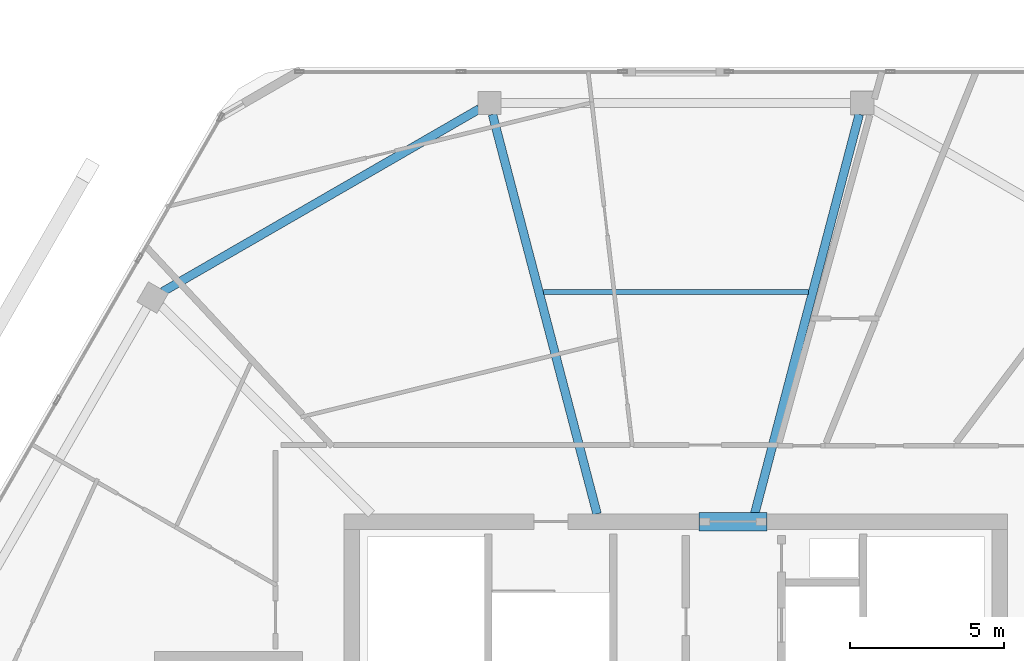
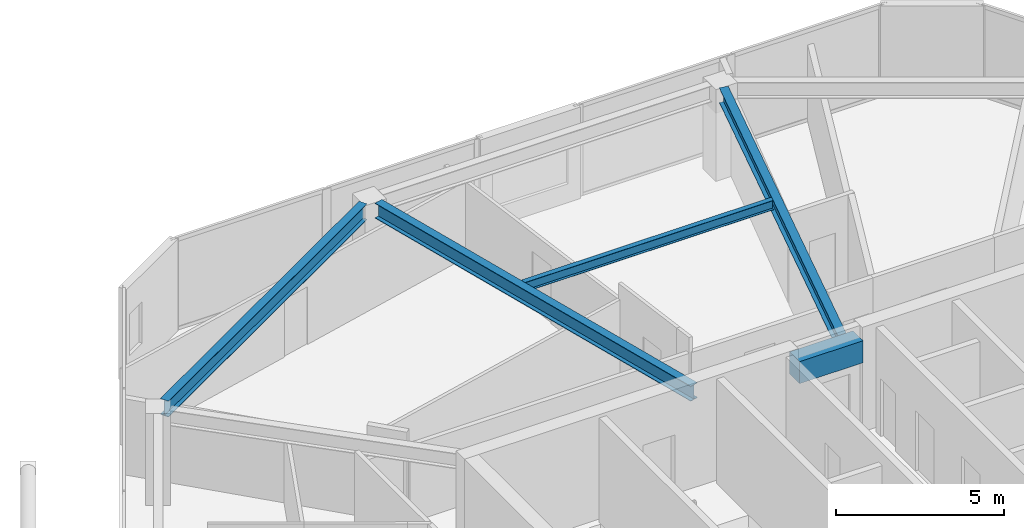
# One storey, part 10 of 22: 5 beams.
"""IFC4 building model written with IfcOpenShell, lengths in metres."""

import ifcopenshell
import ifcopenshell.guid

model = None  # the IFC model being written
_history = None  # IfcOwnerHistory: only IFC2X3 demands one
_inside = {}  # id of a spatial element -> (the spatial element, [elements in it])
_under = {}  # id of a project, library or spatial element -> (it, [spatial elements below it])
_declared = {}  # id of a project -> (the project, [libraries it declares])
_typed = {}  # id of a type object -> (the type object, [elements of that type])
_made_of = {}  # id of a material, layer set ... -> (it, [elements and type objects made of it])


def new_model(schema):
    """Start an empty IFC model of exactly this schema.

    Asked for "IFC4X3", IfcOpenShell would pick the latest addendum, in which some entities
    have other attributes; the version numbers below select the first issue.
    IFC2X3 requires an IfcOwnerHistory on every rooted entity: one is made here for all.
    """
    global model, _history
    if schema == "IFC4X3":
        model = ifcopenshell.file(schema_version=(4, 3, 0, 0))
    else:
        model = ifcopenshell.file(schema=schema)
    _inside.clear()
    _under.clear()
    _declared.clear()
    _typed.clear()
    _made_of.clear()
    _history = None
    if model.schema == "IFC2X3":
        org = make("IfcOrganization", Name="unknown")
        user = make(
            "IfcPersonAndOrganization",
            ThePerson=make("IfcPerson", FamilyName="unknown"),
            TheOrganization=org,
        )
        app = make(
            "IfcApplication",
            ApplicationDeveloper=org,
            Version="unknown",
            ApplicationFullName="unknown",
            ApplicationIdentifier="unknown",
        )
        _history = make(
            "IfcOwnerHistory",
            OwningUser=user,
            OwningApplication=app,
            ChangeAction="ADDED",
            CreationDate=0,
        )
    return model


def make(cls, **values):
    """One entity of the class cls with the attributes given. An attribute that is None is left unset."""
    return model.create_entity(
        cls, **{name: value for name, value in values.items() if value is not None}
    )


def rooted(cls, **values):
    """An entity with a GlobalId (a new one), such as an element, a storey or a relation."""
    return make(cls, GlobalId=ifcopenshell.guid.new(), OwnerHistory=_history, **values)


def si_unit(unit_type, name, prefix=None):
    """IfcSIUnit, for example si_unit("LENGTHUNIT", "METRE", prefix="MILLI")."""
    return make("IfcSIUnit", UnitType=unit_type, Prefix=prefix, Name=name)


def assignment(units):
    """IfcUnitAssignment: the units of a project."""
    return None if units is None else make("IfcUnitAssignment", Units=units)


def point(xyz):
    """IfcCartesianPoint."""
    return None if xyz is None else make("IfcCartesianPoint", Coordinates=xyz)


def direction(xyz):
    """IfcDirection."""
    return None if xyz is None else make("IfcDirection", DirectionRatios=xyz)


def frame(location, z_axis=None, x_axis=None):
    """IfcAxis2Placement3D, a coordinate frame: its origin and axes. An axis left out is left unset."""
    return make(
        "IfcAxis2Placement3D",
        Location=point(location),
        Axis=direction(z_axis),
        RefDirection=direction(x_axis),
    )


def frame_2d(location, x_axis=None):
    """IfcAxis2Placement2D, a coordinate frame in the plane: its origin and x axis."""
    return make(
        "IfcAxis2Placement2D", Location=point(location), RefDirection=direction(x_axis)
    )


def origin():
    """The frame at (0, 0, 0) with its axes left unset."""
    return frame((0.0, 0.0, 0.0))


def origin_2d():
    """The frame at (0, 0) in the plane with its x axis left unset."""
    return frame_2d((0.0, 0.0))


def place(relative_to, where):
    """IfcLocalPlacement: puts the frame where relative to a parent placement (None: the world)."""
    return make(
        "IfcLocalPlacement", PlacementRelTo=relative_to, RelativePlacement=where
    )


def context(
    kind, dimensions, precision=None, world=None, true_north=None, identifier=None
):
    """IfcGeometricRepresentationContext, for example the 3D "Model" context."""
    return make(
        "IfcGeometricRepresentationContext",
        ContextIdentifier=identifier,
        ContextType=kind,
        CoordinateSpaceDimension=dimensions,
        Precision=precision,
        WorldCoordinateSystem=world,
        TrueNorth=true_north,
    )


def subcontext(parent, identifier, kind, view, scale=None):
    """IfcGeometricRepresentationSubContext, for example "Body" below "Model"."""
    return make(
        "IfcGeometricRepresentationSubContext",
        ContextIdentifier=identifier,
        ContextType=kind,
        ParentContext=parent,
        TargetScale=scale,
        TargetView=view,
    )


def project(units=None, contexts=None):
    """IfcProject with its units and contexts."""
    return rooted(
        "IfcProject",
        Name="project",
        RepresentationContexts=contexts,
        UnitsInContext=assignment(units),
    )


def spatial(cls, under=None, at=None, **own):
    """A site, building, storey or space (cls), placed at a placement, below another one or the project."""
    s = rooted(cls, ObjectPlacement=at, **own)
    if under is not None:
        _under.setdefault(under.id(), (under, []))[1].append(s)
    return s


def profile(cls, at=None, kind="AREA", **sizes):
    """A parametric profile (cls). Its sizes go by their IFC names, for example OverallWidth=200.0."""
    return make(cls, ProfileType=kind, Position=at, **sizes)


def rectangle(**sizes):
    """IfcRectangleProfileDef."""
    return profile("IfcRectangleProfileDef", **sizes)


def i_section(**sizes):
    """IfcIShapeProfileDef."""
    return profile("IfcIShapeProfileDef", **sizes)


def extrude(swept, where, along, depth):
    """IfcExtrudedAreaSolid: the profile swept, set in the frame where, extruded along a direction by depth."""
    return make(
        "IfcExtrudedAreaSolid",
        SweptArea=swept,
        Position=where,
        ExtrudedDirection=direction(along),
        Depth=depth,
    )


def shape(context_of_items, identifier, shape_type, items):
    """IfcShapeRepresentation: the items that make up one representation, for example the "Body"."""
    return make(
        "IfcShapeRepresentation",
        ContextOfItems=context_of_items,
        RepresentationIdentifier=identifier,
        RepresentationType=shape_type,
        Items=items,
    )


def material(Name=None, Category=None):
    """IfcMaterial."""
    return make("IfcMaterial", Name=Name, Category=Category)


def material_profile(
    of_material, cross_section, Name=None, Category=None, Priority=None
):
    """IfcMaterialProfile: a cross section and its material."""
    return make(
        "IfcMaterialProfile",
        Name=Name,
        Material=of_material,
        Profile=cross_section,
        Priority=Priority,
        Category=Category,
    )


def profile_set(profiles, Name=None, composite=None):
    """IfcMaterialProfileSet."""
    return make(
        "IfcMaterialProfileSet",
        Name=Name,
        MaterialProfiles=profiles,
        CompositeProfile=composite,
    )


def made_of(thing, what):
    """Note that an element or type object is made of a material, layer set ...; save() writes the relation."""
    if what is not None:
        _made_of.setdefault(what.id(), (what, []))[1].append(thing)
    return thing


def type_object(cls, material=None, **own):
    """A type object (cls), such as IfcWallType, which elements share."""
    return made_of(rooted(cls, **own), material)


def element(
    cls,
    number,
    at=None,
    inside=None,
    cuts=None,
    type_object=None,
    material=None,
    context=None,
    identifier="Body",
    shape_type=None,
    held_by="IfcProductDefinitionShape",
    body=None,
    shapes=None,
    **own,
):
    """One element of the class cls, such as IfcWall. Its Tag is "e" and its number.

    at: its placement. inside: the storey or other place that contains it. cuts: it is an
    opening in that element (IfcRelVoidsElement). A single representation is given by context,
    identifier, shape_type and body (its items); several are given by shapes. held_by: the class
    of the entity that holds the representations. save() writes the other relations.
    """
    e = rooted(cls, Tag="e%d" % number, ObjectPlacement=at, **own)
    if body is not None:
        shapes = [shape(context, identifier, shape_type, body)]
    if shapes is not None:
        e.Representation = make(held_by, Representations=shapes)
    if inside is not None:
        _inside.setdefault(inside.id(), (inside, []))[1].append(e)
    if cuts is not None:
        rooted(
            "IfcRelVoidsElement", RelatingBuildingElement=cuts, RelatedOpeningElement=e
        )
    if type_object is not None:
        _typed.setdefault(type_object.id(), (type_object, []))[1].append(e)
    return made_of(e, material)


def aggregate(whole, parts):
    """IfcRelAggregates: a whole, such as a stair, and the parts it consists of."""
    return rooted("IfcRelAggregates", RelatingObject=whole, RelatedObjects=parts)


def save(model, path):
    """Write the relations noted so far, then the file.

    IfcRelAggregates (storeys below a building ...), IfcRelContainedInSpatialStructure (elements
    in a storey), IfcRelDefinesByType, IfcRelAssociatesMaterial and IfcRelDeclares: one each for
    every whole, place, type object, material and project.
    """
    for whole, parts in _under.values():
        aggregate(whole, parts)
    for where, things in _inside.values():
        rooted(
            "IfcRelContainedInSpatialStructure",
            RelatedElements=things,
            RelatingStructure=where,
        )
    for kind, things in _typed.values():
        rooted("IfcRelDefinesByType", RelatedObjects=things, RelatingType=kind)
    for what, things in _made_of.values():
        rooted("IfcRelAssociatesMaterial", RelatedObjects=things, RelatingMaterial=what)
    for by, libraries in _declared.values():
        rooted("IfcRelDeclares", RelatingContext=by, RelatedDefinitions=libraries)
    model.write(path)


model = new_model("IFC4")

# Units and contexts
model_context = context("Model", 3, precision=1e-05, world=origin(), true_north=direction((0.0, 1.0)))
body_context = subcontext(model_context, "Body", "Model", "MODEL_VIEW")
ifc_project = project(units=[si_unit("LENGTHUNIT", "METRE"), si_unit("AREAUNIT", "SQUARE_METRE"), si_unit("VOLUMEUNIT", "CUBIC_METRE"), si_unit("PLANEANGLEUNIT", "RADIAN"), si_unit("MASSUNIT", "GRAM", prefix="KILO")], contexts=[model_context])

# Site, building, storey
site_placement = place(None, origin())
site = spatial("IfcSite", under=ifc_project, at=site_placement, CompositionType="ELEMENT")
building_placement = place(site_placement, origin())
building = spatial("IfcBuilding", under=site, at=building_placement, Name="Zuhravey Tower", CompositionType="ELEMENT")
storey_placement = place(building_placement, frame((0.0, 0.0, 357.60009765625)))
storey = spatial("IfcBuildingStorey", under=building, at=storey_placement, Name="L91", CompositionType="ELEMENT", Elevation=357.60009765625)

# Beams
ifc_material_1 = material(Name="Concrete C50/60", Category="concrete")
ifc_material_profile_1 = material_profile(ifc_material_1, rectangle(XDim=0.60009765625, YDim=0.800048828125, at=origin_2d()), Name="RC-600x800")
ifc_profile_set_1 = profile_set([ifc_material_profile_1], Name="Concrete C50/60")
beam_type_1 = type_object("IfcBeamType", Name="Core Coupling Beam RC600x800", PredefinedType="LINTEL", material=ifc_profile_set_1)
beam_1_placement = place(storey_placement, frame((36.751953125, 41.5, 2.949951171875), z_axis=(1.0, 0.0, 0.0), x_axis=(0.0, 1.0, 0.0)))
element("IfcBeam", 1, at=beam_1_placement, inside=storey, type_object=beam_type_1, Name="L91 CB2 BM-L91-CB-N", PredefinedType="LINTEL", context=body_context, shape_type="SweptSolid", body=[
    extrude(rectangle(XDim=0.60009765625, YDim=0.800048828125, at=origin_2d()), origin(), (0.0, 0.0, 1.0), 2.196044921875),
])
ifc_material_2 = material(Name="Steel SM355", Category="steel")
ifc_material_profile_2 = material_profile(ifc_material_2, i_section(OverallWidth=0.280029296875, OverallDepth=0.580078125, WebThickness=0.011962890625, FlangeThickness=0.01904296875, at=origin_2d()), Name="H-580x280x12x19")
ifc_profile_set_2 = profile_set([ifc_material_profile_2], Name="Steel SM355")
beam_type_2 = type_object("IfcBeamType", Name="Perimeter Ring Beam H580x280", PredefinedType="BEAM", material=ifc_profile_set_2)
beam_2_placement = place(storey_placement, frame((29.634033203125, 54.875, 3.059814453125), z_axis=(-0.866030838723, -0.499990586292, 0.0), x_axis=(0.499990586292, -0.866030838723, 0.0)))
element("IfcBeam", 2, at=beam_2_placement, inside=storey, type_object=beam_type_2, Name="L91 PB4 BM-L91-PB-04", PredefinedType="BEAM", context=body_context, shape_type="SweptSolid", body=[
    extrude(i_section(OverallWidth=0.280029296875, OverallDepth=0.580078125, WebThickness=0.011962890625, FlangeThickness=0.01904296875, at=origin_2d()), origin(), (0.0, 0.0, 1.0), 11.848876953125),
])
ifc_material_profile_3 = material_profile(ifc_material_2, i_section(OverallWidth=0.280029296875, OverallDepth=0.550048828125, WebThickness=0.010986328125, FlangeThickness=0.01806640625, at=origin_2d()), Name="H-550x280x11x18")
ifc_profile_set_3 = profile_set([ifc_material_profile_3], Name="Steel SM355")
beam_type_3 = type_object("IfcBeamType", Name="Radial Primary Girder H550x280", PredefinedType="BEAM", material=ifc_profile_set_3)
for number, where, z_axis, x_axis, name in (
    (3, (38.553466796875, 41.7529296875, 3.074951171875), (0.253282562653, 0.967392342049, 0.0), (-0.967392342049, 0.253282562653, 0.0), "L91 RG4 BM-L91-RAD-03"),
    (4, (33.446533203125, 41.7529296875, 3.074951171875), (-0.253282562653, 0.967392342049, 0.0), (-0.967392342049, -0.253282562653, 0.0), "L91 RG4 BM-L91-RAD-04"),
):
    element("IfcBeam", number, at=place(storey_placement, frame(where, z_axis=z_axis, x_axis=x_axis)), inside=storey, type_object=beam_type_3, Name=name, PredefinedType="BEAM", context=body_context, shape_type="SweptSolid", body=[
        extrude(i_section(OverallWidth=0.280029296875, OverallDepth=0.550048828125, WebThickness=0.010986328125, FlangeThickness=0.01806640625, at=origin_2d()), origin(), (0.0, 0.0, 1.0), 13.3818359375),
    ])
ifc_material_profile_4 = material_profile(ifc_material_2, i_section(OverallWidth=0.175048828125, OverallDepth=0.35009765625, WebThickness=0.007080078125, FlangeThickness=0.010986328125, at=origin_2d()), Name="H-350x175x7x11")
ifc_profile_set_4 = profile_set([ifc_material_profile_4], Name="Steel SM355")
beam_type_4 = type_object("IfcBeamType", Name="Secondary Floor Joist H350x175", PredefinedType="JOIST", material=ifc_profile_set_4)
beam_3_placement = place(storey_placement, frame((40.29150390625, 48.94091796875, 3.1748046875), z_axis=(-1.0, 0.0, 0.0), x_axis=(0.0, -1.0, 0.0)))
element("IfcBeam", 5, at=beam_3_placement, inside=storey, type_object=beam_type_4, Name="L91 SJ3 BM-L91-SJ-03-1", PredefinedType="JOIST", context=body_context, shape_type="SweptSolid", body=[
    extrude(i_section(OverallWidth=0.175048828125, OverallDepth=0.35009765625, WebThickness=0.007080078125, FlangeThickness=0.010986328125, at=origin_2d()), origin(), (0.0, 0.0, 1.0), 8.5830078125),
])

save(model, "model.ifc")
